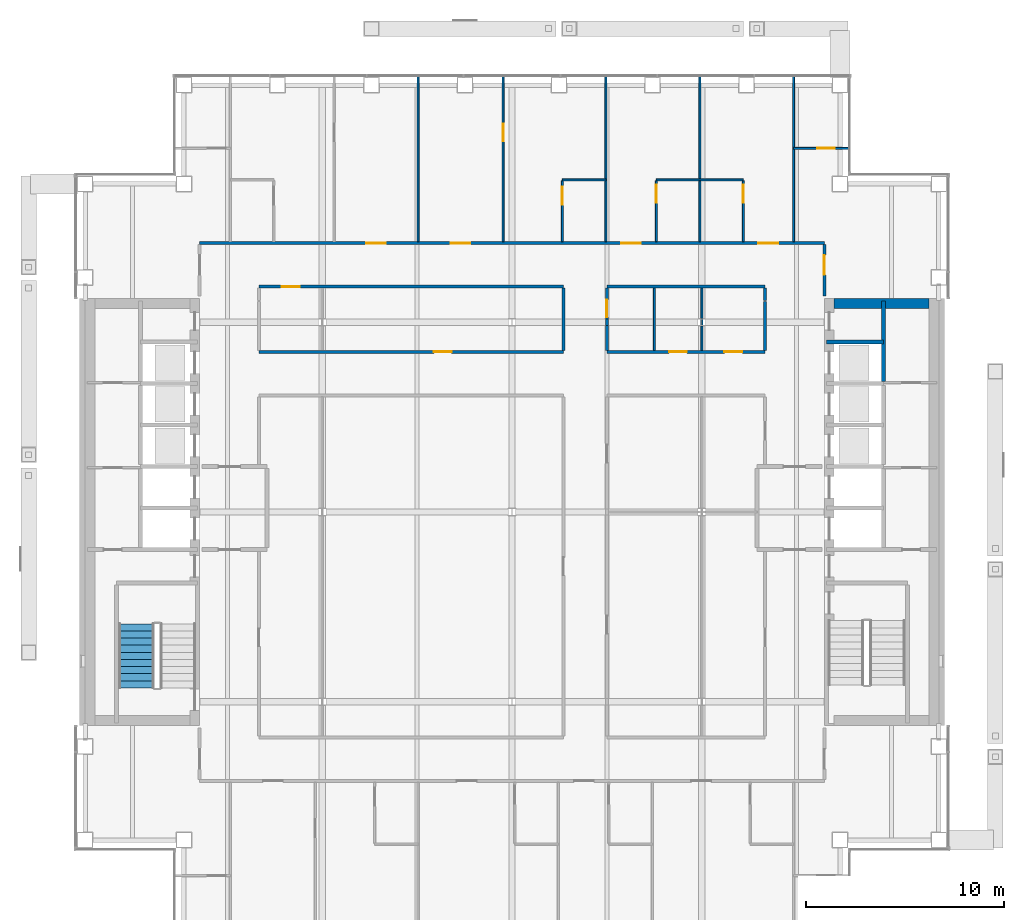
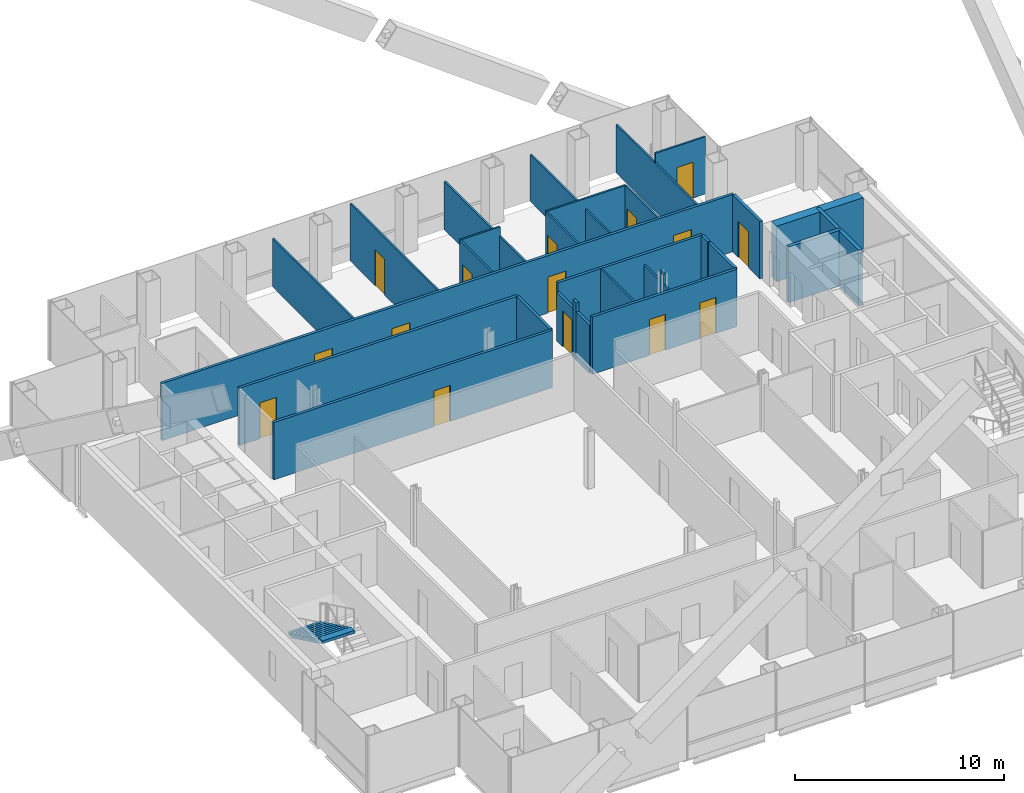
# One storey, part 15 of 18: 31 walls, 15 doors, 1 stair flight, 15 openings, 1 element without a shape of its own.
"""IFC4 building model written with IfcOpenShell, lengths in metres."""

from ifc_helpers import new_model, si_unit, direction, frame, frame_2d, origin, place, context, subcontext, project, spatial, polyline, rectangle, outline, extrude, material, layer, layer_set, type_object, element, fill, aggregate, save


model = new_model("IFC4")

# Units and contexts
model_context = context("Model", 3, precision=1e-05, world=origin(), true_north=direction((0.0, 1.0)))
body_context = subcontext(model_context, "Body", "Model", "MODEL_VIEW")
ifc_project = project(units=[si_unit("LENGTHUNIT", "METRE"), si_unit("AREAUNIT", "SQUARE_METRE"), si_unit("VOLUMEUNIT", "CUBIC_METRE"), si_unit("PLANEANGLEUNIT", "RADIAN"), si_unit("MASSUNIT", "GRAM", prefix="KILO")], contexts=[model_context])

# Site, building, storey
site_placement = place(None, origin())
site = spatial("IfcSite", under=ifc_project, at=site_placement, CompositionType="ELEMENT")
building_placement = place(site_placement, origin())
building = spatial("IfcBuilding", under=site, at=building_placement, Name="Cobrizo Arcos Hotel Tower", CompositionType="ELEMENT")
storey_placement = place(building_placement, frame((0.0, 0.0, 158.5)))
storey = spatial("IfcBuildingStorey", under=building, at=storey_placement, Name="L40", CompositionType="ELEMENT", Elevation=158.5)

# Wall, opening, door
ifc_material_1 = material(Name="Gypsum board partition")
ifc_layer_1 = layer(ifc_material_1, 0.14990234375)
ifc_layer_set_1 = layer_set([ifc_layer_1], Name="Corridor wall EI 60 150")
wall_type_1 = type_object("IfcWallType", Name="Corridor wall EI 60 150", PredefinedType="PARTITIONING", material=ifc_layer_set_1)
wall_1_placement = place(storey_placement, frame((-12.800048828125, 8.10009765625, 0.0), z_axis=(0.0, 0.0, 1.0), x_axis=(1.0, 0.0, 0.0)))
wall_1 = element("IfcWall", 1, at=wall_1_placement, inside=storey, type_object=wall_type_1, Name="Partition 035", PredefinedType="PARTITIONING", context=body_context, shape_type="SweptSolid", body=[
    extrude(rectangle(XDim=15.400146484375, YDim=0.14990234375, at=frame_2d((7.7001953125, 0.0))), origin(), (0.0, 0.0, 1.0), 3.35009765625),
])
opening_1_placement = place(wall_1_placement, frame((8.85009765625, 0.0, 0.0)))
opening_1 = element("IfcOpeningElement", 2, at=opening_1_placement, cuts=wall_1, Name="Opening RD-16", PredefinedType="OPENING", context=body_context, shape_type="SweptSolid", body=[
    extrude(rectangle(XDim=0.89990234375, YDim=2.10009765625, at=frame_2d((0.449951171875, 1.050048828125))), frame((0.0, 0.0869140625, 0.0), z_axis=(0.0, -1.0, 0.0), x_axis=(1.0, 0.0, 0.0)), (0.0, 0.0, 1.0), 0.173828125),
])
ifc_material_2 = material(Name="Timber door leaf", Category="wood")
door_type_1 = type_object("IfcDoorType", Name="Room door FD30 900x2100", OperationType="SINGLE_SWING_LEFT", PredefinedType="DOOR", material=ifc_material_2)
door_1_placement = place(opening_1_placement, origin())
door_1 = element("IfcDoor", 3, at=door_1_placement, inside=storey, type_object=door_type_1, Name="Door RD-16", OperationType="SINGLE_SWING_LEFT", OverallHeight=2.10009765625, OverallWidth=0.89990234375, PredefinedType="DOOR", context=body_context, shape_type="SweptSolid", body=[
    extrude(rectangle(XDim=0.89990234375, YDim=2.10009765625, at=frame_2d((0.449951171875, 1.050048828125))), frame((0.0, 0.02490234375, 0.0), z_axis=(0.0, -1.0, 0.0), x_axis=(1.0, 0.0, 0.0)), (0.0, 0.0, 1.0), 0.050048828125),
])
fill(opening_1, door_1)

# Wall, openings, doors
wall_2_placement = place(storey_placement, frame((4.800048828125, 8.10009765625, 0.0), z_axis=(0.0, 0.0, 1.0), x_axis=(1.0, 0.0, 0.0)))
wall_2 = element("IfcWall", 4, at=wall_2_placement, inside=storey, type_object=wall_type_1, Name="Partition 036", PredefinedType="PARTITIONING", context=body_context, shape_type="SweptSolid", body=[
    extrude(rectangle(XDim=8.0, YDim=0.14990234375, at=frame_2d((4.0, 0.0))), origin(), (0.0, 0.0, 1.0), 3.35009765625),
])
opening_2_placement = place(wall_2_placement, frame((5.949951171875, 0.0, 0.0)))
opening_2 = element("IfcOpeningElement", 5, at=opening_2_placement, cuts=wall_2, Name="Opening RD-11", PredefinedType="OPENING", context=body_context, shape_type="SweptSolid", body=[
    extrude(rectangle(XDim=0.89990234375, YDim=2.10009765625, at=frame_2d((0.449951171875, 1.050048828125))), frame((0.0, 0.0869140625, 0.0), z_axis=(0.0, -1.0, 0.0), x_axis=(1.0, 0.0, 0.0)), (0.0, 0.0, 1.0), 0.173828125),
])
opening_3_placement = place(wall_2_placement, frame((3.14990234375, 0.0, 0.0)))
opening_3 = element("IfcOpeningElement", 6, at=opening_3_placement, cuts=wall_2, Name="Opening ED-15", PredefinedType="OPENING", context=body_context, shape_type="SweptSolid", body=[
    extrude(rectangle(XDim=0.89990234375, YDim=2.10009765625, at=frame_2d((0.449951171875, 1.050048828125))), frame((0.0, 0.0869140625, 0.0), z_axis=(0.0, -1.0, 0.0), x_axis=(1.0, 0.0, 0.0)), (0.0, 0.0, 1.0), 0.173828125),
])
door_type_2 = type_object("IfcDoorType", Name="En-suite door 900x2100", OperationType="SINGLE_SWING_LEFT", PredefinedType="DOOR", material=ifc_material_2)
door_2_placement = place(opening_3_placement, origin())
door_2 = element("IfcDoor", 7, at=door_2_placement, inside=storey, type_object=door_type_2, Name="Door ED-15", OperationType="SINGLE_SWING_LEFT", OverallHeight=2.10009765625, OverallWidth=0.89990234375, PredefinedType="DOOR", context=body_context, shape_type="SweptSolid", body=[
    extrude(rectangle(XDim=0.89990234375, YDim=2.10009765625, at=frame_2d((0.449951171875, 1.050048828125))), frame((0.0, 0.02490234375, 0.0), z_axis=(0.0, -1.0, 0.0), x_axis=(1.0, 0.0, 0.0)), (0.0, 0.0, 1.0), 0.050048828125),
])
fill(opening_3, door_2)
door_3_placement = place(opening_2_placement, origin())
door_3 = element("IfcDoor", 8, at=door_3_placement, inside=storey, type_object=door_type_1, Name="Door RD-11", OperationType="SINGLE_SWING_LEFT", OverallHeight=2.10009765625, OverallWidth=0.89990234375, PredefinedType="DOOR", context=body_context, shape_type="SweptSolid", body=[
    extrude(rectangle(XDim=0.89990234375, YDim=2.10009765625, at=frame_2d((0.449951171875, 1.050048828125))), frame((0.0, 0.02490234375, 0.0), z_axis=(0.0, -1.0, 0.0), x_axis=(1.0, 0.0, 0.0)), (0.0, 0.0, 1.0), 0.050048828125),
])
fill(opening_2, door_3)

# Wall, opening, door
wall_3_placement = place(storey_placement, frame((-12.800048828125, 11.39990234375, 0.0), z_axis=(0.0, 0.0, 1.0), x_axis=(1.0, 0.0, 0.0)))
wall_3 = element("IfcWall", 9, at=wall_3_placement, inside=storey, type_object=wall_type_1, Name="Partition 039", PredefinedType="PARTITIONING", context=body_context, shape_type="SweptSolid", body=[
    extrude(rectangle(XDim=15.400146484375, YDim=0.14990234375, at=frame_2d((7.7001953125, 0.0))), origin(), (0.0, 0.0, 1.0), 3.35009765625),
])
opening_4_placement = place(wall_3_placement, frame((1.14990234375, 0.0, 0.0)))
opening_4 = element("IfcOpeningElement", 10, at=opening_4_placement, cuts=wall_3, Name="Opening RD-12", PredefinedType="OPENING", context=body_context, shape_type="SweptSolid", body=[
    extrude(rectangle(XDim=0.89990234375, YDim=2.10009765625, at=frame_2d((0.449951171875, 1.050048828125))), frame((0.0, 0.0869140625, 0.0), z_axis=(0.0, -1.0, 0.0), x_axis=(1.0, 0.0, 0.0)), (0.0, 0.0, 1.0), 0.173828125),
])
door_4_placement = place(opening_4_placement, origin())
door_4 = element("IfcDoor", 11, at=door_4_placement, inside=storey, type_object=door_type_1, Name="Door RD-12", OperationType="SINGLE_SWING_LEFT", OverallHeight=2.10009765625, OverallWidth=0.89990234375, PredefinedType="DOOR", context=body_context, shape_type="SweptSolid", body=[
    extrude(rectangle(XDim=0.89990234375, YDim=2.10009765625, at=frame_2d((0.449951171875, 1.050048828125))), frame((0.0, 0.02490234375, 0.0), z_axis=(0.0, -1.0, 0.0), x_axis=(1.0, 0.0, 0.0)), (0.0, 0.0, 1.0), 0.050048828125),
])
fill(opening_4, door_4)

# Wall
wall_4_placement = place(storey_placement, frame((4.800048828125, 11.39990234375, 0.0), z_axis=(0.0, 0.0, 1.0), x_axis=(1.0, 0.0, 0.0)))
element("IfcWall", 12, at=wall_4_placement, inside=storey, type_object=wall_type_1, Name="Partition 040", PredefinedType="PARTITIONING", context=body_context, shape_type="SweptSolid", body=[
    extrude(rectangle(XDim=8.0, YDim=0.14990234375, at=frame_2d((4.0, 0.0))), origin(), (0.0, 0.0, 1.0), 3.35009765625),
])

# Wall, openings, doors
wall_5_placement = place(storey_placement, frame((-15.800048828125, 13.60009765625, 0.0), z_axis=(0.0, 0.0, 1.0), x_axis=(1.0, 0.0, 0.0)))
wall_5 = element("IfcWall", 13, at=wall_5_placement, inside=storey, type_object=wall_type_1, Name="Partition 041", PredefinedType="PARTITIONING", context=body_context, shape_type="SweptSolid", body=[
    extrude(rectangle(XDim=31.60009765625, YDim=0.14990234375, at=frame_2d((15.800048828125, 0.0))), origin(), (0.0, 0.0, 1.0), 3.35009765625),
])
opening_5_placement = place(wall_5_placement, frame((8.422119140625, 0.0, 0.0)))
opening_5 = element("IfcOpeningElement", 14, at=opening_5_placement, cuts=wall_5, Name="Opening GD-01", PredefinedType="OPENING", context=body_context, shape_type="SweptSolid", body=[
    extrude(rectangle(XDim=1.0, YDim=2.10009765625, at=frame_2d((0.5, 1.050048828125))), frame((0.0, 0.0869140625, 0.0), z_axis=(0.0, -1.0, 0.0), x_axis=(1.0, 0.0, 0.0)), (0.0, 0.0, 1.0), 0.173828125),
])
opening_6_placement = place(wall_5_placement, frame((12.69189453125, 0.0, 0.0)))
opening_6 = element("IfcOpeningElement", 15, at=opening_6_placement, cuts=wall_5, Name="Opening GD-02", PredefinedType="OPENING", context=body_context, shape_type="SweptSolid", body=[
    extrude(rectangle(XDim=1.0, YDim=2.10009765625, at=frame_2d((0.5, 1.050048828125))), frame((0.0, 0.0869140625, 0.0), z_axis=(0.0, -1.0, 0.0), x_axis=(1.0, 0.0, 0.0)), (0.0, 0.0, 1.0), 0.173828125),
])
opening_7_placement = place(wall_5_placement, frame((21.31494140625, 0.0, 0.0)))
opening_7 = element("IfcOpeningElement", 16, at=opening_7_placement, cuts=wall_5, Name="Opening GD-03", PredefinedType="OPENING", context=body_context, shape_type="SweptSolid", body=[
    extrude(rectangle(XDim=1.0, YDim=2.10009765625, at=frame_2d((0.5, 1.050048828125))), frame((0.0, 0.0869140625, 0.0), z_axis=(0.0, -1.0, 0.0), x_axis=(1.0, 0.0, 0.0)), (0.0, 0.0, 1.0), 0.173828125),
])
opening_8_placement = place(wall_5_placement, frame((28.258056640625, 0.0, 0.0)))
opening_8 = element("IfcOpeningElement", 17, at=opening_8_placement, cuts=wall_5, Name="Opening GD-04", PredefinedType="OPENING", context=body_context, shape_type="SweptSolid", body=[
    extrude(rectangle(XDim=1.0, YDim=2.10009765625, at=frame_2d((0.5, 1.050048828125))), frame((0.0, 0.0869140625, 0.0), z_axis=(0.0, -1.0, 0.0), x_axis=(1.0, 0.0, 0.0)), (0.0, 0.0, 1.0), 0.173828125),
])
door_type_3 = type_object("IfcDoorType", Name="Guest room door FD30S 1000x2100", OperationType="SINGLE_SWING_LEFT", PredefinedType="DOOR", material=ifc_material_2)
door_5_placement = place(opening_5_placement, origin())
door_5 = element("IfcDoor", 18, at=door_5_placement, inside=storey, type_object=door_type_3, Name="Door GD-01", OperationType="SINGLE_SWING_LEFT", OverallHeight=2.10009765625, OverallWidth=1.0, PredefinedType="DOOR", context=body_context, shape_type="SweptSolid", body=[
    extrude(rectangle(XDim=1.0, YDim=2.10009765625, at=frame_2d((0.5, 1.050048828125))), frame((0.0, 0.02490234375, 0.0), z_axis=(0.0, -1.0, 0.0), x_axis=(1.0, 0.0, 0.0)), (0.0, 0.0, 1.0), 0.050048828125),
])
fill(opening_5, door_5)
door_6_placement = place(opening_6_placement, origin())
door_6 = element("IfcDoor", 19, at=door_6_placement, inside=storey, type_object=door_type_3, Name="Door GD-02", OperationType="SINGLE_SWING_RIGHT", OverallHeight=2.10009765625, OverallWidth=1.0, PredefinedType="DOOR", context=body_context, shape_type="SweptSolid", body=[
    extrude(rectangle(XDim=1.0, YDim=2.10009765625, at=frame_2d((0.5, 1.050048828125))), frame((0.0, 0.02490234375, 0.0), z_axis=(0.0, -1.0, 0.0), x_axis=(1.0, 0.0, 0.0)), (0.0, 0.0, 1.0), 0.050048828125),
])
fill(opening_6, door_6)
door_7_placement = place(opening_7_placement, origin())
door_7 = element("IfcDoor", 20, at=door_7_placement, inside=storey, type_object=door_type_3, Name="Door GD-03", OperationType="SINGLE_SWING_RIGHT", OverallHeight=2.10009765625, OverallWidth=1.0, PredefinedType="DOOR", context=body_context, shape_type="SweptSolid", body=[
    extrude(rectangle(XDim=1.0, YDim=2.10009765625, at=frame_2d((0.5, 1.050048828125))), frame((0.0, 0.02490234375, 0.0), z_axis=(0.0, -1.0, 0.0), x_axis=(1.0, 0.0, 0.0)), (0.0, 0.0, 1.0), 0.050048828125),
])
fill(opening_7, door_7)
door_8_placement = place(opening_8_placement, origin())
door_8 = element("IfcDoor", 21, at=door_8_placement, inside=storey, type_object=door_type_3, Name="Door GD-04", OperationType="SINGLE_SWING_RIGHT", OverallHeight=2.10009765625, OverallWidth=1.0, PredefinedType="DOOR", context=body_context, shape_type="SweptSolid", body=[
    extrude(rectangle(XDim=1.0, YDim=2.10009765625, at=frame_2d((0.5, 1.050048828125))), frame((0.0, 0.02490234375, 0.0), z_axis=(0.0, -1.0, 0.0), x_axis=(1.0, 0.0, 0.0)), (0.0, 0.0, 1.0), 0.050048828125),
])
fill(opening_8, door_8)

# Walls
wall_6_placement = place(storey_placement, frame((2.60009765625, 8.175048828125, 0.0), z_axis=(0.0, 0.0, 1.0), x_axis=(0.0, 1.0, 0.0)))
element("IfcWall", 22, at=wall_6_placement, inside=storey, type_object=wall_type_1, Name="Partition 080", PredefinedType="PARTITIONING", context=body_context, shape_type="SweptSolid", body=[
    extrude(rectangle(XDim=3.14990234375, YDim=0.14990234375, at=frame_2d((1.574951171875, 0.0))), origin(), (0.0, 0.0, 1.0), 3.35009765625),
])
wall_7_placement = place(storey_placement, frame((4.800048828125, 8.175048828125, 0.0), z_axis=(0.0, 0.0, 1.0), x_axis=(0.0, 1.0, 0.0)))
element("IfcWall", 23, at=wall_7_placement, inside=storey, type_object=wall_type_1, Name="Partition 087", PredefinedType="PARTITIONING", context=body_context, shape_type="SweptSolid", body=[
    extrude(rectangle(XDim=1.260986328125, YDim=0.14990234375, at=frame_2d((0.63037109375, 0.0))), origin(), (0.0, 0.0, 1.0), 2.81689453125),
])
wall_8_placement = place(storey_placement, frame((4.800048828125, 9.43603515625, 0.0), z_axis=(0.0, 0.0, 1.0), x_axis=(0.0, 1.0, 0.0)))
element("IfcWall", 24, at=wall_8_placement, inside=storey, type_object=wall_type_1, Name="Partition 088", PredefinedType="PARTITIONING", context=body_context, shape_type="SweptSolid", body=[
    extrude(rectangle(XDim=0.327880859375, YDim=0.14990234375, at=frame_2d((0.1640625, 0.0))), origin(), (0.0, 0.0, 1.0), 3.35009765625),
])

# Wall, opening, door
wall_9_placement = place(storey_placement, frame((4.800048828125, 9.763916015625, 0.0), z_axis=(0.0, 0.0, 1.0), x_axis=(0.0, 1.0, 0.0)))
wall_9 = element("IfcWall", 25, at=wall_9_placement, inside=storey, type_object=wall_type_1, Name="Partition 089", PredefinedType="PARTITIONING", context=body_context, shape_type="SweptSolid", body=[
    extrude(rectangle(XDim=1.56103515625, YDim=0.14990234375, at=frame_2d((0.780517578125, 0.0))), origin(), (0.0, 0.0, 1.0), 2.81689453125),
])
opening_9_placement = place(wall_9_placement, frame((0.080078125, 0.0, 0.0)))
opening_9 = element("IfcOpeningElement", 26, at=opening_9_placement, cuts=wall_9, Name="Opening ED-14", PredefinedType="OPENING", context=body_context, shape_type="SweptSolid", body=[
    extrude(rectangle(XDim=0.89990234375, YDim=2.10009765625, at=frame_2d((0.449951171875, 1.050048828125))), frame((0.0, 0.0869140625, 0.0), z_axis=(0.0, -1.0, 0.0), x_axis=(1.0, 0.0, 0.0)), (0.0, 0.0, 1.0), 0.173828125),
])
door_9_placement = place(opening_9_placement, origin())
door_9 = element("IfcDoor", 27, at=door_9_placement, inside=storey, type_object=door_type_2, Name="Door ED-14", OperationType="SINGLE_SWING_RIGHT", OverallHeight=2.10009765625, OverallWidth=0.89990234375, PredefinedType="DOOR", context=body_context, shape_type="SweptSolid", body=[
    extrude(rectangle(XDim=0.89990234375, YDim=2.10009765625, at=frame_2d((0.449951171875, 1.050048828125))), frame((0.0, 0.02490234375, 0.0), z_axis=(0.0, -1.0, 0.0), x_axis=(1.0, 0.0, 0.0)), (0.0, 0.0, 1.0), 0.050048828125),
])
fill(opening_9, door_9)

# Walls
wall_10_placement = place(storey_placement, frame((12.800048828125, 8.175048828125, 0.0), z_axis=(0.0, 0.0, 1.0), x_axis=(0.0, 1.0, 0.0)))
element("IfcWall", 28, at=wall_10_placement, inside=storey, type_object=wall_type_1, Name="Partition 108", PredefinedType="PARTITIONING", context=body_context, shape_type="SweptSolid", body=[
    extrude(rectangle(XDim=2.474853515625, YDim=0.14990234375, at=frame_2d((1.2373046875, 0.0))), origin(), (0.0, 0.0, 1.0), 3.35009765625),
])
wall_11_placement = place(storey_placement, frame((12.800048828125, 10.699951171875, 0.0), z_axis=(0.0, 0.0, 1.0), x_axis=(0.0, 1.0, 0.0)))
element("IfcWall", 29, at=wall_11_placement, inside=storey, type_object=wall_type_1, Name="Partition 109", PredefinedType="PARTITIONING", context=body_context, shape_type="SweptSolid", body=[
    extrude(rectangle(XDim=0.625, YDim=0.14990234375, at=frame_2d((0.3125, 0.0))), origin(), (0.0, 0.0, 1.0), 3.35009765625),
])

# Wall, opening, door
wall_12_placement = place(storey_placement, frame((15.800048828125, 10.919921875, 0.0), z_axis=(0.0, 0.0, 1.0), x_axis=(0.0, 1.0, 0.0)))
wall_12 = element("IfcWall", 30, at=wall_12_placement, inside=storey, type_object=wall_type_1, Name="Partition 113", PredefinedType="PARTITIONING", context=body_context, shape_type="SweptSolid", body=[
    extrude(rectangle(XDim=2.60498046875, YDim=0.14990234375, at=frame_2d((1.302490234375, 0.0))), origin(), (0.0, 0.0, 1.0), 3.35009765625),
])
opening_10_placement = place(wall_12_placement, frame((1.080078125, 0.0, 0.0)))
opening_10 = element("IfcOpeningElement", 31, at=opening_10_placement, cuts=wall_12, Name="Opening GD-12", PredefinedType="OPENING", context=body_context, shape_type="SweptSolid", body=[
    extrude(rectangle(XDim=1.0, YDim=2.10009765625, at=frame_2d((0.5, 1.050048828125))), frame((0.0, 0.0869140625, 0.0), z_axis=(0.0, -1.0, 0.0), x_axis=(1.0, 0.0, 0.0)), (0.0, 0.0, 1.0), 0.173828125),
])
door_10_placement = place(opening_10_placement, origin())
door_10 = element("IfcDoor", 32, at=door_10_placement, inside=storey, type_object=door_type_3, Name="Door GD-12", OperationType="SINGLE_SWING_LEFT", OverallHeight=2.10009765625, OverallWidth=1.0, PredefinedType="DOOR", context=body_context, shape_type="SweptSolid", body=[
    extrude(rectangle(XDim=1.0, YDim=2.10009765625, at=frame_2d((0.5, 1.050048828125))), frame((0.0, 0.02490234375, 0.0), z_axis=(0.0, -1.0, 0.0), x_axis=(1.0, 0.0, 0.0)), (0.0, 0.0, 1.0), 0.050048828125),
])
fill(opening_10, door_10)

# Walls
ifc_layer_2 = layer(ifc_material_1, 0.10009765625)
ifc_layer_set_2 = layer_set([ifc_layer_2], Name="Partition EI 30 100")
wall_type_2 = type_object("IfcWallType", Name="Partition EI 30 100", PredefinedType="PARTITIONING", material=ifc_layer_set_2)
wall_13_placement = place(storey_placement, frame((2.550048828125, 16.800048828125, 0.0), z_axis=(0.0, 0.0, 1.0), x_axis=(1.0, 0.0, 0.0)))
element("IfcWall", 33, at=wall_13_placement, inside=storey, type_object=wall_type_2, Name="Partition 043", PredefinedType="PARTITIONING", context=body_context, shape_type="SweptSolid", body=[
    extrude(rectangle(XDim=2.199951171875, YDim=0.10009765625, at=frame_2d((1.10009765625, 0.0))), origin(), (0.0, 0.0, 1.0), 3.35009765625),
])
wall_14_placement = place(storey_placement, frame((7.300048828125, 16.800048828125, 0.0), z_axis=(0.0, 0.0, 1.0), x_axis=(1.0, 0.0, 0.0)))
element("IfcWall", 34, at=wall_14_placement, inside=storey, type_object=wall_type_2, Name="Partition 044", PredefinedType="PARTITIONING", context=body_context, shape_type="SweptSolid", body=[
    extrude(rectangle(XDim=4.39990234375, YDim=0.10009765625, at=frame_2d((2.199951171875, 0.0))), origin(), (0.0, 0.0, 1.0), 3.35009765625),
])

# Wall, opening, door
wall_15_placement = place(storey_placement, frame((14.25, 18.39990234375, 0.0), z_axis=(0.0, 0.0, 1.0), x_axis=(1.0, 0.0, 0.0)))
wall_15 = element("IfcWall", 35, at=wall_15_placement, inside=storey, type_object=wall_type_2, Name="Partition 046", PredefinedType="PARTITIONING", context=body_context, shape_type="SweptSolid", body=[
    extrude(rectangle(XDim=2.780029296875, YDim=0.10009765625, at=frame_2d((1.39013671875, 0.0))), origin(), (0.0, 0.0, 1.0), 3.35009765625),
])
opening_11_placement = place(wall_15_placement, frame((1.18896484375, 0.0, 0.0)))
opening_11 = element("IfcOpeningElement", 36, at=opening_11_placement, cuts=wall_15, Name="Opening ED-13", PredefinedType="OPENING", context=body_context, shape_type="SweptSolid", body=[
    extrude(rectangle(XDim=0.89990234375, YDim=2.10009765625, at=frame_2d((0.449951171875, 1.050048828125))), frame((0.0, 0.06201171875, 0.0), z_axis=(0.0, -1.0, 0.0), x_axis=(1.0, 0.0, 0.0)), (0.0, 0.0, 1.0), 0.1240234375),
])
door_11_placement = place(opening_11_placement, origin())
door_11 = element("IfcDoor", 37, at=door_11_placement, inside=storey, type_object=door_type_2, Name="Door ED-13", OperationType="SINGLE_SWING_LEFT", OverallHeight=2.10009765625, OverallWidth=0.89990234375, PredefinedType="DOOR", context=body_context, shape_type="SweptSolid", body=[
    extrude(rectangle(XDim=0.89990234375, YDim=2.10009765625, at=frame_2d((0.449951171875, 1.050048828125))), frame((0.0, 0.02490234375, 0.0), z_axis=(0.0, -1.0, 0.0), x_axis=(1.0, 0.0, 0.0)), (0.0, 0.0, 1.0), 0.050048828125),
])
fill(opening_11, door_11)

# Wall
wall_16_placement = place(storey_placement, frame((-4.75, 13.675048828125, 0.0), z_axis=(0.0, 0.0, 1.0), x_axis=(0.0, 1.0, 0.0)))
element("IfcWall", 38, at=wall_16_placement, inside=storey, type_object=wall_type_2, Name="Partition 074", PredefinedType="PARTITIONING", context=body_context, shape_type="SweptSolid", body=[
    extrude(rectangle(XDim=8.35498046875, YDim=0.10009765625, at=frame_2d((4.177490234375, 0.0))), origin(), (0.0, 0.0, 1.0), 2.81689453125),
])

# Wall, opening, door
wall_17_placement = place(storey_placement, frame((-0.449951171875, 13.675048828125, 0.0), z_axis=(0.0, 0.0, 1.0), x_axis=(0.0, 1.0, 0.0)))
wall_17 = element("IfcWall", 39, at=wall_17_placement, inside=storey, type_object=wall_type_2, Name="Partition 075", PredefinedType="PARTITIONING", context=body_context, shape_type="SweptSolid", body=[
    extrude(rectangle(XDim=8.35498046875, YDim=0.10009765625, at=frame_2d((4.177490234375, 0.0))), origin(), (0.0, 0.0, 1.0), 3.35009765625),
])
opening_12_placement = place(wall_17_placement, frame((5.074951171875, 0.0, 0.0)))
opening_12 = element("IfcOpeningElement", 40, at=opening_12_placement, cuts=wall_17, Name="Opening RD-09", PredefinedType="OPENING", context=body_context, shape_type="SweptSolid", body=[
    extrude(rectangle(XDim=0.89990234375, YDim=2.10009765625, at=frame_2d((0.449951171875, 1.050048828125))), frame((0.0, 0.06201171875, 0.0), z_axis=(0.0, -1.0, 0.0), x_axis=(1.0, 0.0, 0.0)), (0.0, 0.0, 1.0), 0.1240234375),
])
door_12_placement = place(opening_12_placement, origin())
door_12 = element("IfcDoor", 41, at=door_12_placement, inside=storey, type_object=door_type_1, Name="Door RD-09", OperationType="SINGLE_SWING_LEFT", OverallHeight=2.10009765625, OverallWidth=0.89990234375, PredefinedType="DOOR", context=body_context, shape_type="SweptSolid", body=[
    extrude(rectangle(XDim=0.89990234375, YDim=2.10009765625, at=frame_2d((0.449951171875, 1.050048828125))), frame((0.0, 0.02490234375, 0.0), z_axis=(0.0, -1.0, 0.0), x_axis=(1.0, 0.0, 0.0)), (0.0, 0.0, 1.0), 0.050048828125),
])
fill(opening_12, door_12)

wall_18_placement = place(storey_placement, frame((2.550048828125, 13.675048828125, 0.0), z_axis=(0.0, 0.0, 1.0), x_axis=(0.0, 1.0, 0.0)))
wall_18 = element("IfcWall", 42, at=wall_18_placement, inside=storey, type_object=wall_type_2, Name="Partition 078", PredefinedType="PARTITIONING", context=body_context, shape_type="SweptSolid", body=[
    extrude(rectangle(XDim=3.074951171875, YDim=0.10009765625, at=frame_2d((1.53759765625, 0.0))), origin(), (0.0, 0.0, 1.0), 3.35009765625),
])
opening_13_placement = place(wall_18_placement, frame((1.875, 0.0, 0.0)))
opening_13 = element("IfcOpeningElement", 43, at=opening_13_placement, cuts=wall_18, Name="Opening ED-03", PredefinedType="OPENING", context=body_context, shape_type="SweptSolid", body=[
    extrude(rectangle(XDim=0.89990234375, YDim=2.10009765625, at=frame_2d((0.449951171875, 1.050048828125))), frame((0.0, 0.06201171875, 0.0), z_axis=(0.0, -1.0, 0.0), x_axis=(1.0, 0.0, 0.0)), (0.0, 0.0, 1.0), 0.1240234375),
])
door_13_placement = place(opening_13_placement, origin())
door_13 = element("IfcDoor", 44, at=door_13_placement, inside=storey, type_object=door_type_2, Name="Door ED-03", OperationType="SINGLE_SWING_LEFT", OverallHeight=2.10009765625, OverallWidth=0.89990234375, PredefinedType="DOOR", context=body_context, shape_type="SweptSolid", body=[
    extrude(rectangle(XDim=0.89990234375, YDim=2.10009765625, at=frame_2d((0.449951171875, 1.050048828125))), frame((0.0, 0.02490234375, 0.0), z_axis=(0.0, -1.0, 0.0), x_axis=(1.0, 0.0, 0.0)), (0.0, 0.0, 1.0), 0.050048828125),
])
fill(opening_13, door_13)

# Walls
wall_19_placement = place(storey_placement, frame((4.75, 13.675048828125, 0.0), z_axis=(0.0, 0.0, 1.0), x_axis=(0.0, 1.0, 0.0)))
element("IfcWall", 45, at=wall_19_placement, inside=storey, type_object=wall_type_2, Name="Partition 081", PredefinedType="PARTITIONING", context=body_context, shape_type="SweptSolid", body=[
    extrude(rectangle(XDim=8.35498046875, YDim=0.10009765625, at=frame_2d((4.177490234375, 0.0))), origin(), (0.0, 0.0, 1.0), 2.81689453125),
])
wall_20_placement = place(storey_placement, frame((7.199951171875, 8.175048828125, 0.0), z_axis=(0.0, 0.0, 1.0), x_axis=(0.0, 1.0, 0.0)))
element("IfcWall", 46, at=wall_20_placement, inside=storey, type_object=wall_type_2, Name="Partition 092", PredefinedType="PARTITIONING", context=body_context, shape_type="SweptSolid", body=[
    extrude(rectangle(XDim=3.14990234375, YDim=0.10009765625, at=frame_2d((1.574951171875, 0.0))), origin(), (0.0, 0.0, 1.0), 3.35009765625),
])

# Wall, opening, door
wall_21_placement = place(storey_placement, frame((7.300048828125, 13.675048828125, 0.0), z_axis=(0.0, 0.0, 1.0), x_axis=(0.0, 1.0, 0.0)))
wall_21 = element("IfcWall", 47, at=wall_21_placement, inside=storey, type_object=wall_type_2, Name="Partition 093", PredefinedType="PARTITIONING", context=body_context, shape_type="SweptSolid", body=[
    extrude(rectangle(XDim=3.074951171875, YDim=0.10009765625, at=frame_2d((1.53759765625, 0.0))), origin(), (0.0, 0.0, 1.0), 3.35009765625),
])
opening_14_placement = place(wall_21_placement, frame((1.970947265625, 0.0, 0.0)))
opening_14 = element("IfcOpeningElement", 48, at=opening_14_placement, cuts=wall_21, Name="Opening ED-04", PredefinedType="OPENING", context=body_context, shape_type="SweptSolid", body=[
    extrude(rectangle(XDim=0.89990234375, YDim=2.10009765625, at=frame_2d((0.449951171875, 1.050048828125))), frame((0.0, 0.06201171875, 0.0), z_axis=(0.0, -1.0, 0.0), x_axis=(1.0, 0.0, 0.0)), (0.0, 0.0, 1.0), 0.1240234375),
])
door_14_placement = place(opening_14_placement, origin())
door_14 = element("IfcDoor", 49, at=door_14_placement, inside=storey, type_object=door_type_2, Name="Door ED-04", OperationType="SINGLE_SWING_RIGHT", OverallHeight=2.10009765625, OverallWidth=0.89990234375, PredefinedType="DOOR", context=body_context, shape_type="SweptSolid", body=[
    extrude(rectangle(XDim=0.89990234375, YDim=2.10009765625, at=frame_2d((0.449951171875, 1.050048828125))), frame((0.0, 0.02490234375, 0.0), z_axis=(0.0, -1.0, 0.0), x_axis=(1.0, 0.0, 0.0)), (0.0, 0.0, 1.0), 0.050048828125),
])
fill(opening_14, door_14)

# Walls
wall_22_placement = place(storey_placement, frame((9.5, 13.675048828125, 0.0), z_axis=(0.0, 0.0, 1.0), x_axis=(0.0, 1.0, 0.0)))
element("IfcWall", 50, at=wall_22_placement, inside=storey, type_object=wall_type_2, Name="Partition 094", PredefinedType="PARTITIONING", context=body_context, shape_type="SweptSolid", body=[
    extrude(rectangle(XDim=3.074951171875, YDim=0.10009765625, at=frame_2d((1.53759765625, 0.0))), origin(), (0.0, 0.0, 1.0), 2.72802734375),
])
wall_23_placement = place(storey_placement, frame((9.5, 16.85009765625, 0.0), z_axis=(0.0, 0.0, 1.0), x_axis=(0.0, 1.0, 0.0)))
element("IfcWall", 51, at=wall_23_placement, inside=storey, type_object=wall_type_2, Name="Partition 095", PredefinedType="PARTITIONING", context=body_context, shape_type="SweptSolid", body=[
    extrude(rectangle(XDim=5.179931640625, YDim=0.10009765625, at=frame_2d((2.58984375, 0.0))), origin(), (0.0, 0.0, 1.0), 2.72802734375),
])
wall_24_placement = place(storey_placement, frame((9.60009765625, 8.175048828125, 0.0), z_axis=(0.0, 0.0, 1.0), x_axis=(0.0, 1.0, 0.0)))
element("IfcWall", 52, at=wall_24_placement, inside=storey, type_object=wall_type_2, Name="Partition 100", PredefinedType="PARTITIONING", context=body_context, shape_type="SweptSolid", body=[
    extrude(rectangle(XDim=1.238037109375, YDim=0.10009765625, at=frame_2d((0.619140625, 0.0))), origin(), (0.0, 0.0, 1.0), 2.72802734375),
])
wall_25_placement = place(storey_placement, frame((9.60009765625, 9.4130859375, 0.0), z_axis=(0.0, 0.0, 1.0), x_axis=(0.0, 1.0, 0.0)))
element("IfcWall", 53, at=wall_25_placement, inside=storey, type_object=wall_type_2, Name="Partition 101", PredefinedType="PARTITIONING", context=body_context, shape_type="SweptSolid", body=[
    extrude(rectangle(XDim=0.3740234375, YDim=0.10009765625, at=frame_2d((0.18701171875, 0.0))), origin(), (0.0, 0.0, 1.0), 3.35009765625),
])
wall_26_placement = place(storey_placement, frame((9.60009765625, 9.787109375, 0.0), z_axis=(0.0, 0.0, 1.0), x_axis=(0.0, 1.0, 0.0)))
element("IfcWall", 54, at=wall_26_placement, inside=storey, type_object=wall_type_2, Name="Partition 102", PredefinedType="PARTITIONING", context=body_context, shape_type="SweptSolid", body=[
    extrude(rectangle(XDim=1.537841796875, YDim=0.10009765625, at=frame_2d((0.76904296875, 0.0))), origin(), (0.0, 0.0, 1.0), 2.72802734375),
])

# Wall, opening, door
wall_27_placement = place(storey_placement, frame((11.699951171875, 13.675048828125, 0.0), z_axis=(0.0, 0.0, 1.0), x_axis=(0.0, 1.0, 0.0)))
wall_27 = element("IfcWall", 55, at=wall_27_placement, inside=storey, type_object=wall_type_2, Name="Partition 103", PredefinedType="PARTITIONING", context=body_context, shape_type="SweptSolid", body=[
    extrude(rectangle(XDim=3.074951171875, YDim=0.10009765625, at=frame_2d((1.53759765625, 0.0))), origin(), (0.0, 0.0, 1.0), 3.35009765625),
])
opening_15_placement = place(wall_27_placement, frame((1.970947265625, 0.0, 0.0)))
opening_15 = element("IfcOpeningElement", 56, at=opening_15_placement, cuts=wall_27, Name="Opening ED-05", PredefinedType="OPENING", context=body_context, shape_type="SweptSolid", body=[
    extrude(rectangle(XDim=0.89990234375, YDim=2.10009765625, at=frame_2d((0.449951171875, 1.050048828125))), frame((0.0, 0.06201171875, 0.0), z_axis=(0.0, -1.0, 0.0), x_axis=(1.0, 0.0, 0.0)), (0.0, 0.0, 1.0), 0.1240234375),
])
door_15_placement = place(opening_15_placement, origin())
door_15 = element("IfcDoor", 57, at=door_15_placement, inside=storey, type_object=door_type_2, Name="Door ED-05", OperationType="SINGLE_SWING_LEFT", OverallHeight=2.10009765625, OverallWidth=0.89990234375, PredefinedType="DOOR", context=body_context, shape_type="SweptSolid", body=[
    extrude(rectangle(XDim=0.89990234375, YDim=2.10009765625, at=frame_2d((0.449951171875, 1.050048828125))), frame((0.0, 0.02490234375, 0.0), z_axis=(0.0, -1.0, 0.0), x_axis=(1.0, 0.0, 0.0)), (0.0, 0.0, 1.0), 0.050048828125),
])
fill(opening_15, door_15)

# Walls
wall_28_placement = place(storey_placement, frame((14.25, 13.675048828125, 0.0), z_axis=(0.0, 0.0, 1.0), x_axis=(0.0, 1.0, 0.0)))
element("IfcWall", 58, at=wall_28_placement, inside=storey, type_object=wall_type_2, Name="Partition 111", PredefinedType="PARTITIONING", context=body_context, shape_type="SweptSolid", body=[
    extrude(rectangle(XDim=8.35498046875, YDim=0.10009765625, at=frame_2d((4.177490234375, 0.0))), origin(), (0.0, 0.0, 1.0), 2.81689453125),
])
ifc_material_3 = material(Name="Concrete f'c 50 MPa", Category="concrete")
ifc_layer_3 = layer(ifc_material_3, 0.5)
ifc_layer_set_3 = layer_set([ifc_layer_3], Name="RC core wall 500 f'c 50")
wall_type_3 = type_object("IfcWallType", Name="RC core wall 500 f'c 50", PredefinedType="SHEAR", material=ifc_layer_set_3)
wall_29_placement = place(storey_placement, frame((16.300048828125, 10.550048828125, 0.0), z_axis=(0.0, 0.0, 1.0), x_axis=(1.0, 0.0, 0.0)))
element("IfcWall", 59, at=wall_29_placement, inside=storey, type_object=wall_type_3, Name="Core wall CW3, east core, north end, L40", PredefinedType="SHEAR", context=body_context, shape_type="SweptSolid", body=[
    extrude(rectangle(XDim=4.800048828125, YDim=0.5, at=frame_2d((2.39990234375, 0.0))), origin(), (0.0, 0.0, 1.0), 3.25),
])
ifc_layer_4 = layer(ifc_material_1, 0.199951171875)
ifc_layer_set_4 = layer_set([ifc_layer_4], Name="Shaft wall EI 120 200")
wall_type_4 = type_object("IfcWallType", Name="Shaft wall EI 120 200", PredefinedType="PARTITIONING", material=ifc_layer_set_4)
wall_30_placement = place(storey_placement, frame((15.919921875, 8.60009765625, 0.0), z_axis=(0.0, 0.0, 1.0), x_axis=(1.0, 0.0, 0.0)))
element("IfcWall", 60, at=wall_30_placement, inside=storey, type_object=wall_type_4, Name="Partition 038", PredefinedType="PARTITIONING", context=body_context, shape_type="SweptSolid", body=[
    extrude(rectangle(XDim=2.880126953125, YDim=0.199951171875, at=frame_2d((1.43994140625, 0.0))), origin(), (0.0, 0.0, 1.0), 3.25),
])
wall_31_placement = place(storey_placement, frame((18.800048828125, 6.60009765625, 0.0), z_axis=(0.0, 0.0, 1.0), x_axis=(0.0, 1.0, 0.0)))
element("IfcWall", 61, at=wall_31_placement, inside=storey, type_object=wall_type_4, Name="Partition 116", PredefinedType="PARTITIONING", context=body_context, shape_type="SweptSolid", body=[
    extrude(rectangle(XDim=4.079833984375, YDim=0.199951171875, at=frame_2d((2.0400390625, 0.0))), origin(), (0.0, 0.0, 1.0), 3.25),
])

# Stair, stair flight
ifc_material_4 = material(Name="Concrete f'c 40 MPa", Category="concrete")
stair_type = type_object("IfcStairType", Name="Exit stair", PredefinedType="HALF_TURN_STAIR", material=ifc_material_4)
stair_placement = place(storey_placement, origin())
stair = element("IfcStair", 62, at=stair_placement, inside=storey, type_object=stair_type, Name="L40 Exit stair ST-W", PredefinedType="HALF_TURN_STAIR")
stair_flight_type = type_object("IfcStairFlightType", Name="Exit stair flight", PredefinedType="STRAIGHT", material=ifc_material_4)
stair_flight_placement = place(storey_placement, frame((-19.0, -5.659912109375, 1.75), z_axis=(0.0, 0.0, 1.0), x_axis=(0.0, -1.0, 0.0)))
stair_flight = element("IfcStairFlight", 63, at=stair_flight_placement, type_object=stair_flight_type, Name="ST-W flight 2", NumberOfRisers=10, NumberOfTreads=9, PredefinedType="STRAIGHT", RiserHeight=0.175, TreadLength=0.36, context=body_context, shape_type="SweptSolid", body=[
    extrude(outline(polyline([(0.0, 0.0), (0.0, 0.175048828125), (0.360107421875, 0.175048828125), (0.360107421875, 0.35009765625), (0.719970703125, 0.35009765625), (0.719970703125, 0.52490234375), (1.080078125, 0.52490234375), (1.080078125, 0.699951171875), (1.43994140625, 0.699951171875), (1.43994140625, 0.875), (1.800048828125, 0.875), (1.800048828125, 1.050048828125), (2.159912109375, 1.050048828125), (2.159912109375, 1.22509765625), (2.52001953125, 1.22509765625), (2.52001953125, 1.39990234375), (2.8798828125, 1.39990234375), (2.8798828125, 1.574951171875), (3.239990234375, 1.574951171875), (3.239990234375, 1.75), (3.239990234375, 1.408203125), (0.3427734375, 0.0), (0.0, 0.0)])), frame((0.0, 0.89990234375, 0.0), z_axis=(0.0, -1.0, 0.0), x_axis=(1.0, 0.0, 0.0)), (0.0, 0.0, 1.0), 1.800048828125),
])
aggregate(stair, [stair_flight])

save(model, "model.ifc")
